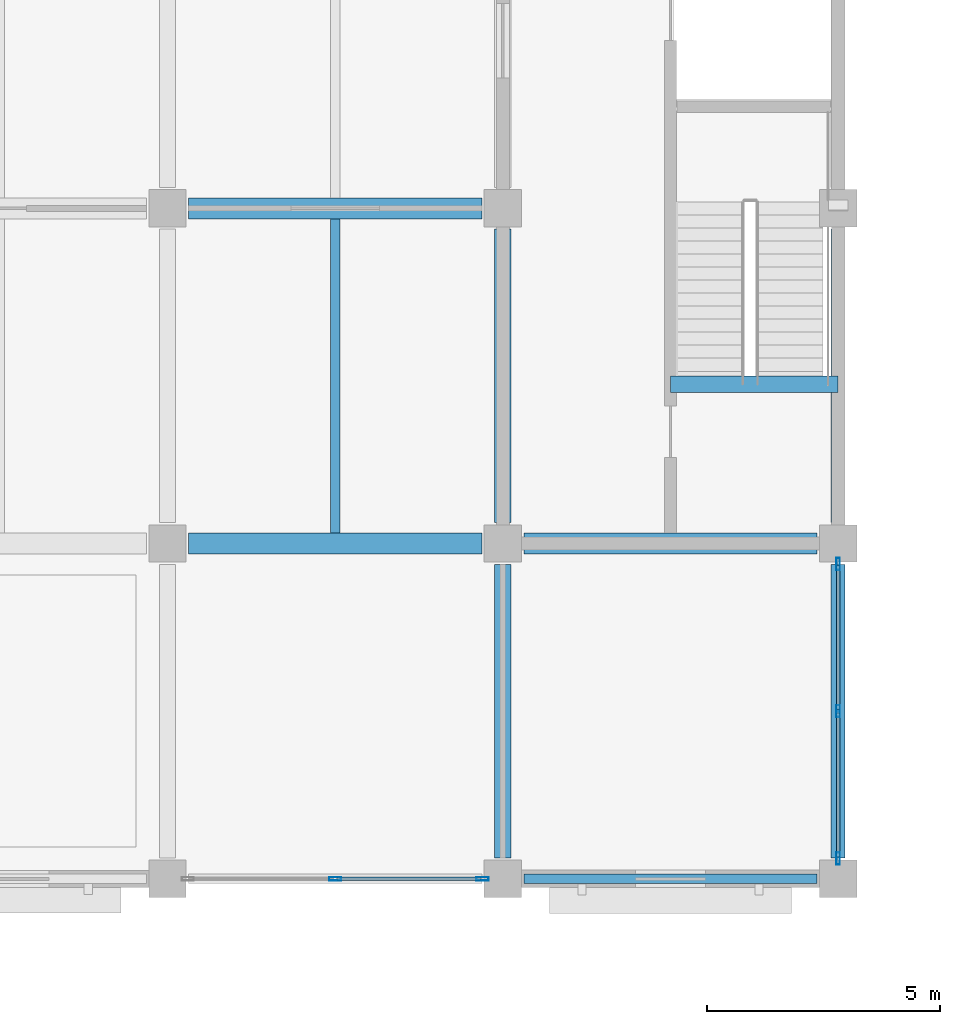
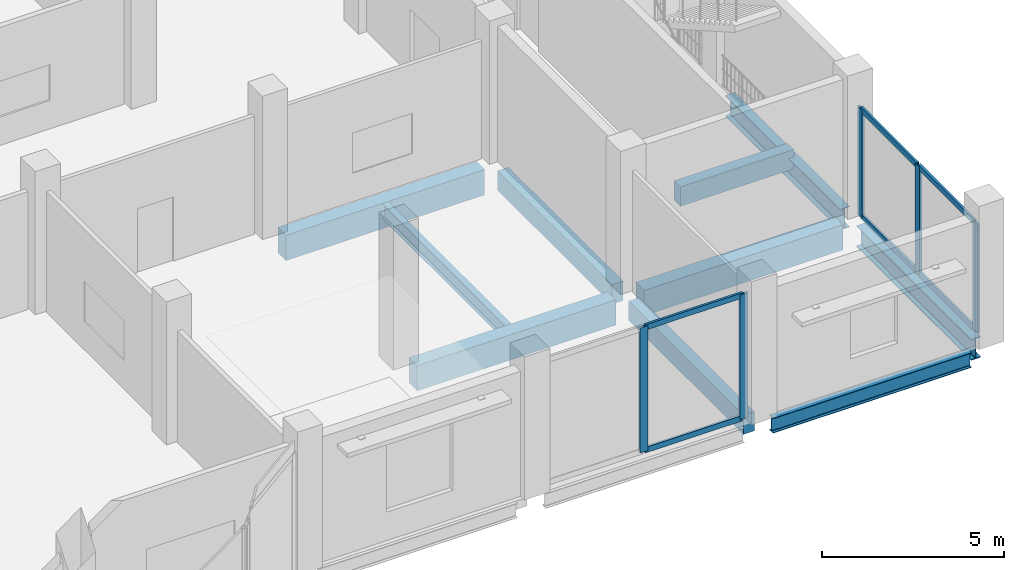
# One storey, part 45 of 99: 11 members, 10 beams, 2 elements without a shape of their own.
"""IFC4 building model written with IfcOpenShell, lengths in metres."""

from ifc_helpers import new_model, si_unit, direction, frame, origin, origin_2d, place, context, subcontext, project, spatial, rectangle, hollow_rectangle, i_section, extrude, material, material_profile, profile_set, type_object, element, aggregate, save


model = new_model("IFC4")

# Units and contexts
model_context = context("Model", 3, precision=1e-05, world=origin(), true_north=direction((0.0, 1.0)))
body_context = subcontext(model_context, "Body", "Model", "MODEL_VIEW")
ifc_project = project(units=[si_unit("LENGTHUNIT", "METRE"), si_unit("AREAUNIT", "SQUARE_METRE"), si_unit("VOLUMEUNIT", "CUBIC_METRE"), si_unit("PLANEANGLEUNIT", "RADIAN"), si_unit("MASSUNIT", "GRAM", prefix="KILO")], contexts=[model_context])

# Site, building, storey
site_placement = place(None, origin())
site = spatial("IfcSite", under=ifc_project, at=site_placement, CompositionType="ELEMENT")
building_placement = place(site_placement, origin())
building = spatial("IfcBuilding", under=site, at=building_placement, Name="Vesperath Aquatics Centre", CompositionType="ELEMENT")
storey_placement = place(building_placement, frame((0.0, 0.0, 5.39990234375)))
storey = spatial("IfcBuildingStorey", under=building, at=storey_placement, Name="L01", CompositionType="ELEMENT", Elevation=5.39990234375)

# Beams
ifc_material_1 = material(Name="Concrete C35", Category="concrete")
ifc_material_profile_1 = material_profile(ifc_material_1, rectangle(XDim=0.449951171875, YDim=0.85009765625, at=origin_2d()), Name="RC 450x850")
ifc_profile_set_1 = profile_set([ifc_material_profile_1], Name="Concrete C35")
beam_type_1 = type_object("IfcBeamType", Name="BM-G03", PredefinedType="BEAM", material=ifc_profile_set_1)
for number, where, z_axis, x_axis, name in (
    (1, (158.85009765625, 7.199951171875, -0.684814453125), (1.0, 0.0, 0.0), (0.0, 1.0, 0.0), "Floor Girder B03 L01 B 23-24"),
    (2, (158.85009765625, 14.39990234375, -0.684814453125), (1.0, 0.0, 0.0), (0.0, 1.0, 0.0), "Floor Girder B03 L01 C 23-24"),
):
    element("IfcBeam", number, at=place(storey_placement, frame(where, z_axis=z_axis, x_axis=x_axis)), inside=storey, type_object=beam_type_1, Name=name, PredefinedType="BEAM", context=body_context, shape_type="SweptSolid", body=[
        extrude(rectangle(XDim=0.449951171875, YDim=0.85009765625, at=origin_2d()), origin(), (0.0, 0.0, 1.0), 6.2998046875),
    ])
beam_1_placement = place(storey_placement, frame((166.050048828125, 7.199951171875, -0.684814453125), z_axis=(1.0, 0.0, 0.0), x_axis=(0.0, 1.0, 0.0)))
element("IfcBeam", 3, at=beam_1_placement, inside=storey, type_object=beam_type_1, Name="Floor Girder B03 L01 B 24-25", PredefinedType="BEAM", context=body_context, shape_type="SweptSolid", body=[
    extrude(rectangle(XDim=0.449951171875, YDim=0.85009765625, at=origin_2d()), origin(), (0.0, 0.0, 1.0), 6.300048828125),
])
ifc_material_profile_2 = material_profile(ifc_material_1, rectangle(XDim=0.35009765625, YDim=0.64990234375, at=origin_2d()), Name="RC 350x650")
ifc_profile_set_2 = profile_set([ifc_material_profile_2], Name="Concrete C35")
beam_type_2 = type_object("IfcBeamType", Name="BM-G05", PredefinedType="BEAM", material=ifc_profile_set_2)
for number, where, z_axis, x_axis, name in (
    (4, (165.60009765625, 0.449951171875, -0.5849609375), (0.0, 1.0, 0.0), (-1.0, 0.0, 0.0), "Floor Girder B05 L01 24 A-B"),
    (5, (165.60009765625, 7.64990234375, -0.5849609375), (0.0, 1.0, 0.0), (-1.0, 0.0, 0.0), "Floor Girder B05 L01 24 B-C"),
):
    element("IfcBeam", number, at=place(storey_placement, frame(where, z_axis=z_axis, x_axis=x_axis)), inside=storey, type_object=beam_type_2, Name=name, PredefinedType="BEAM", context=body_context, shape_type="SweptSolid", body=[
        extrude(rectangle(XDim=0.35009765625, YDim=0.64990234375, at=origin_2d()), origin(), (0.0, 0.0, 1.0), 6.300048828125),
    ])
beam_2_placement = place(storey_placement, frame((169.199951171875, 10.6201171875, -0.324951171875), z_axis=(1.0, 0.0, 0.0), x_axis=(0.0, 1.0, 0.0)))
element("IfcBeam", 6, at=beam_2_placement, inside=storey, type_object=beam_type_2, Name="Stair ST6 Landing Trimmer Beam B05 L01", PredefinedType="BEAM", context=body_context, shape_type="SweptSolid", body=[
    extrude(rectangle(XDim=0.35009765625, YDim=0.64990234375, at=origin_2d()), origin(), (0.0, 0.0, 1.0), 3.60009765625),
])
ifc_material_2 = material(Name="Steel Q355C", Category="steel")
ifc_material_profile_3 = material_profile(ifc_material_2, i_section(OverallWidth=0.300048828125, OverallDepth=0.699951171875, WebThickness=0.012939453125, FlangeThickness=0.02392578125, FilletRadius=0.028076171875, at=origin_2d()), Name="HN 700x300x13x24")
ifc_profile_set_3 = profile_set([ifc_material_profile_3], Name="Steel Q355C")
beam_type_3 = type_object("IfcBeamType", Name="BM-G08", PredefinedType="BEAM", material=ifc_profile_set_3)
for number, where, z_axis, x_axis, name in (
    (7, (172.800048828125, 0.449951171875, -0.60986328125), (0.0, 1.0, 0.0), (-1.0, 0.0, 0.0), "Floor Girder B08 L01 25 A-B"),
    (8, (172.800048828125, 7.64990234375, -0.60986328125), (0.0, 1.0, 0.0), (-1.0, 0.0, 0.0), "Floor Girder B08 L01 25 B-C"),
):
    element("IfcBeam", number, at=place(storey_placement, frame(where, z_axis=z_axis, x_axis=x_axis)), inside=storey, type_object=beam_type_3, Name=name, PredefinedType="BEAM", context=body_context, shape_type="SweptSolid", body=[
        extrude(i_section(OverallWidth=0.300048828125, OverallDepth=0.699951171875, WebThickness=0.012939453125, FlangeThickness=0.02392578125, FilletRadius=0.028076171875, at=origin_2d()), origin(), (0.0, 0.0, 1.0), 6.300048828125),
    ])
ifc_material_profile_4 = material_profile(ifc_material_2, i_section(OverallWidth=0.199951171875, OverallDepth=0.5, WebThickness=0.010009765625, FlangeThickness=0.01611328125, FilletRadius=0.02001953125, at=origin_2d()), Name="HN 500x200x10x16")
ifc_profile_set_4 = profile_set([ifc_material_profile_4], Name="Steel Q355C")
beam_type_4 = type_object("IfcBeamType", Name="BM-J02", PredefinedType="JOIST", material=ifc_profile_set_4)
beam_3_placement = place(storey_placement, frame((162.0, 7.425048828125, -0.510009765625), z_axis=(0.0, 1.0, 0.0), x_axis=(-1.0, 0.0, 0.0)))
element("IfcBeam", 9, at=beam_3_placement, inside=storey, type_object=beam_type_4, Name="Secondary Floor Joist J02 L01 23/B", PredefinedType="JOIST", context=body_context, shape_type="SweptSolid", body=[
    extrude(i_section(OverallWidth=0.199951171875, OverallDepth=0.5, WebThickness=0.010009765625, FlangeThickness=0.01611328125, FilletRadius=0.02001953125, at=origin_2d()), origin(), (0.0, 0.0, 1.0), 6.75),
])
ifc_material_3 = material(Name="Steel Q355D", Category="steel")
ifc_material_profile_5 = material_profile(ifc_material_3, i_section(OverallWidth=0.199951171875, OverallDepth=0.5, WebThickness=0.010009765625, FlangeThickness=0.01611328125, FilletRadius=0.02001953125, at=origin_2d()), Name="HN 500x200x10x16")
ifc_profile_set_5 = profile_set([ifc_material_profile_5], Name="Steel Q355D")
beam_type_5 = type_object("IfcBeamType", Name="BM-SP01", PredefinedType="SPANDREL", material=ifc_profile_set_5)
beam_4_placement = place(storey_placement, frame((166.050048828125, 0.0, -0.510009765625), z_axis=(1.0, 0.0, 0.0), x_axis=(0.0, 1.0, 0.0)))
element("IfcBeam", 10, at=beam_4_placement, inside=storey, type_object=beam_type_5, Name="Floor Girder SP01 L01 A 24-25", PredefinedType="SPANDREL", context=body_context, shape_type="SweptSolid", body=[
    extrude(i_section(OverallWidth=0.199951171875, OverallDepth=0.5, WebThickness=0.010009765625, FlangeThickness=0.01611328125, FilletRadius=0.02001953125, at=origin_2d()), origin(), (0.0, 0.0, 1.0), 6.300048828125),
])

# Curtain wall, members
ifc_material_4 = material(Name="Thermally broken anodised bronze aluminium curtain wall", Category="aluminium")
curtain_wall_type = type_object("IfcCurtainWallType", Name="CW-02", PredefinedType="NOTDEFINED", material=ifc_material_4)
curtain_wall_1_placement = place(storey_placement, origin())
curtain_wall_1 = element("IfcCurtainWall", 11, at=curtain_wall_1_placement, inside=storey, type_object=curtain_wall_type, Name="Facade Curtain Wall CW02 L01_S_22_00", PredefinedType="NOTDEFINED")
ifc_material_5 = material(Name="Thermally broken anodised aluminium", Category="aluminium")
ifc_material_profile_6 = material_profile(ifc_material_5, hollow_rectangle(XDim=0.074951171875, YDim=0.260009765625, WallThickness=0.006103515625, at=origin_2d()), Name="CWM 75x260x6")
ifc_profile_set_6 = profile_set([ifc_material_profile_6], Name="Thermally broken anodised aluminium")
member_type_1 = type_object("IfcMemberType", Name="MB-CWM1", PredefinedType="MULLION", material=ifc_profile_set_6)
member_1_placement = place(storey_placement, frame((162.0, 0.0, 0.0), z_axis=(0.0, 0.0, 1.0), x_axis=(0.0, 1.0, 0.0)))
member_1 = element("IfcMember", 12, at=member_1_placement, type_object=member_type_1, Name="CW02 mullion 2", PredefinedType="MULLION", context=body_context, shape_type="SweptSolid", body=[
    extrude(hollow_rectangle(XDim=0.074951171875, YDim=0.260009765625, WallThickness=0.006103515625, at=origin_2d()), origin(), (0.0, 0.0, 1.0), 4.190185546875),
])
member_2_placement = place(storey_placement, frame((165.16259765625, 0.0, 0.0), z_axis=(0.0, 0.0, 1.0), x_axis=(0.0, 1.0, 0.0)))
member_2 = element("IfcMember", 13, at=member_2_placement, type_object=member_type_1, Name="CW02 mullion 3", PredefinedType="MULLION", context=body_context, shape_type="SweptSolid", body=[
    extrude(hollow_rectangle(XDim=0.074951171875, YDim=0.260009765625, WallThickness=0.006103515625, at=origin_2d()), origin(), (0.0, 0.0, 1.0), 4.190185546875),
])

curtain_wall_2_placement = place(storey_placement, origin())
curtain_wall_2 = element("IfcCurtainWall", 14, at=curtain_wall_2_placement, inside=storey, type_object=curtain_wall_type, Name="Facade Curtain Wall CW02 L01_E_24_00", PredefinedType="NOTDEFINED")
member_3_placement = place(storey_placement, frame((172.800048828125, 0.4375, 0.0), z_axis=(0.0, 0.0, 1.0), x_axis=(-1.0, 0.0, 0.0)))
member_3 = element("IfcMember", 15, at=member_3_placement, type_object=member_type_1, Name="CW02 mullion 1", PredefinedType="MULLION", context=body_context, shape_type="SweptSolid", body=[
    extrude(hollow_rectangle(XDim=0.074951171875, YDim=0.260009765625, WallThickness=0.006103515625, at=origin_2d()), origin(), (0.0, 0.0, 1.0), 3.64013671875),
])
member_4_placement = place(storey_placement, frame((172.800048828125, 3.60009765625, 0.0), z_axis=(0.0, 0.0, 1.0), x_axis=(-1.0, 0.0, 0.0)))
member_4 = element("IfcMember", 16, at=member_4_placement, type_object=member_type_1, Name="CW02 mullion 2", PredefinedType="MULLION", context=body_context, shape_type="SweptSolid", body=[
    extrude(hollow_rectangle(XDim=0.074951171875, YDim=0.260009765625, WallThickness=0.006103515625, at=origin_2d()), origin(), (0.0, 0.0, 1.0), 3.64013671875),
])
member_5_placement = place(storey_placement, frame((172.800048828125, 6.762451171875, 0.0), z_axis=(0.0, 0.0, 1.0), x_axis=(-1.0, 0.0, 0.0)))
member_5 = element("IfcMember", 17, at=member_5_placement, type_object=member_type_1, Name="CW02 mullion 3", PredefinedType="MULLION", context=body_context, shape_type="SweptSolid", body=[
    extrude(hollow_rectangle(XDim=0.074951171875, YDim=0.260009765625, WallThickness=0.006103515625, at=origin_2d()), origin(), (0.0, 0.0, 1.0), 3.64013671875),
])

# Member
ifc_material_profile_7 = material_profile(ifc_material_5, hollow_rectangle(XDim=0.074951171875, YDim=0.179931640625, WallThickness=0.0048828125, at=origin_2d()), Name="CWT 75x180x5")
ifc_profile_set_7 = profile_set([ifc_material_profile_7], Name="Thermally broken anodised aluminium")
member_type_2 = type_object("IfcMemberType", Name="MB-CWT1", PredefinedType="USERDEFINED", material=ifc_profile_set_7)
member_6_placement = place(storey_placement, frame((162.03759765625, 0.0, 0.03759765625), z_axis=(1.0, 0.0, 0.0), x_axis=(0.0, 1.0, 0.0)))
member_6 = element("IfcMember", 18, at=member_6_placement, type_object=member_type_2, Name="CW02 transom 2.1", ObjectType="TRANSOM", PredefinedType="USERDEFINED", context=body_context, shape_type="SweptSolid", body=[
    extrude(hollow_rectangle(XDim=0.074951171875, YDim=0.179931640625, WallThickness=0.0048828125, at=origin_2d()), origin(), (0.0, 0.0, 1.0), 3.08740234375),
])

member_7_placement = place(storey_placement, frame((162.03759765625, 0.0, 4.152587890625), z_axis=(1.0, 0.0, 0.0), x_axis=(0.0, 1.0, 0.0)))
member_7 = element("IfcMember", 19, at=member_7_placement, type_object=member_type_2, Name="CW02 transom 2.2", ObjectType="TRANSOM", PredefinedType="USERDEFINED", context=body_context, shape_type="SweptSolid", body=[
    extrude(hollow_rectangle(XDim=0.074951171875, YDim=0.179931640625, WallThickness=0.0048828125, at=origin_2d()), origin(), (0.0, 0.0, 1.0), 3.08740234375),
])

aggregate(curtain_wall_1, [member_1, member_2, member_6, member_7])

member_8_placement = place(storey_placement, frame((172.800048828125, 0.47509765625, 0.03759765625), z_axis=(0.0, 1.0, 0.0), x_axis=(-1.0, 0.0, 0.0)))
member_8 = element("IfcMember", 20, at=member_8_placement, type_object=member_type_2, Name="CW02 transom 1.1", ObjectType="TRANSOM", PredefinedType="USERDEFINED", context=body_context, shape_type="SweptSolid", body=[
    extrude(hollow_rectangle(XDim=0.074951171875, YDim=0.179931640625, WallThickness=0.0048828125, at=origin_2d()), origin(), (0.0, 0.0, 1.0), 3.08740234375),
])

member_9_placement = place(storey_placement, frame((172.800048828125, 0.47509765625, 3.6025390625), z_axis=(0.0, 1.0, 0.0), x_axis=(-1.0, 0.0, 0.0)))
member_9 = element("IfcMember", 21, at=member_9_placement, type_object=member_type_2, Name="CW02 transom 1.2", ObjectType="TRANSOM", PredefinedType="USERDEFINED", context=body_context, shape_type="SweptSolid", body=[
    extrude(hollow_rectangle(XDim=0.074951171875, YDim=0.179931640625, WallThickness=0.0048828125, at=origin_2d()), origin(), (0.0, 0.0, 1.0), 3.08740234375),
])

member_10_placement = place(storey_placement, frame((172.800048828125, 3.637451171875, 0.03759765625), z_axis=(0.0, 1.0, 0.0), x_axis=(-1.0, 0.0, 0.0)))
member_10 = element("IfcMember", 22, at=member_10_placement, type_object=member_type_2, Name="CW02 transom 2.1", ObjectType="TRANSOM", PredefinedType="USERDEFINED", context=body_context, shape_type="SweptSolid", body=[
    extrude(hollow_rectangle(XDim=0.074951171875, YDim=0.179931640625, WallThickness=0.0048828125, at=origin_2d()), origin(), (0.0, 0.0, 1.0), 3.087646484375),
])

member_11_placement = place(storey_placement, frame((172.800048828125, 3.637451171875, 3.6025390625), z_axis=(0.0, 1.0, 0.0), x_axis=(-1.0, 0.0, 0.0)))
member_11 = element("IfcMember", 23, at=member_11_placement, type_object=member_type_2, Name="CW02 transom 2.2", ObjectType="TRANSOM", PredefinedType="USERDEFINED", context=body_context, shape_type="SweptSolid", body=[
    extrude(hollow_rectangle(XDim=0.074951171875, YDim=0.179931640625, WallThickness=0.0048828125, at=origin_2d()), origin(), (0.0, 0.0, 1.0), 3.087646484375),
])

aggregate(curtain_wall_2, [member_3, member_4, member_5, member_8, member_9, member_10, member_11])

save(model, "model.ifc")
